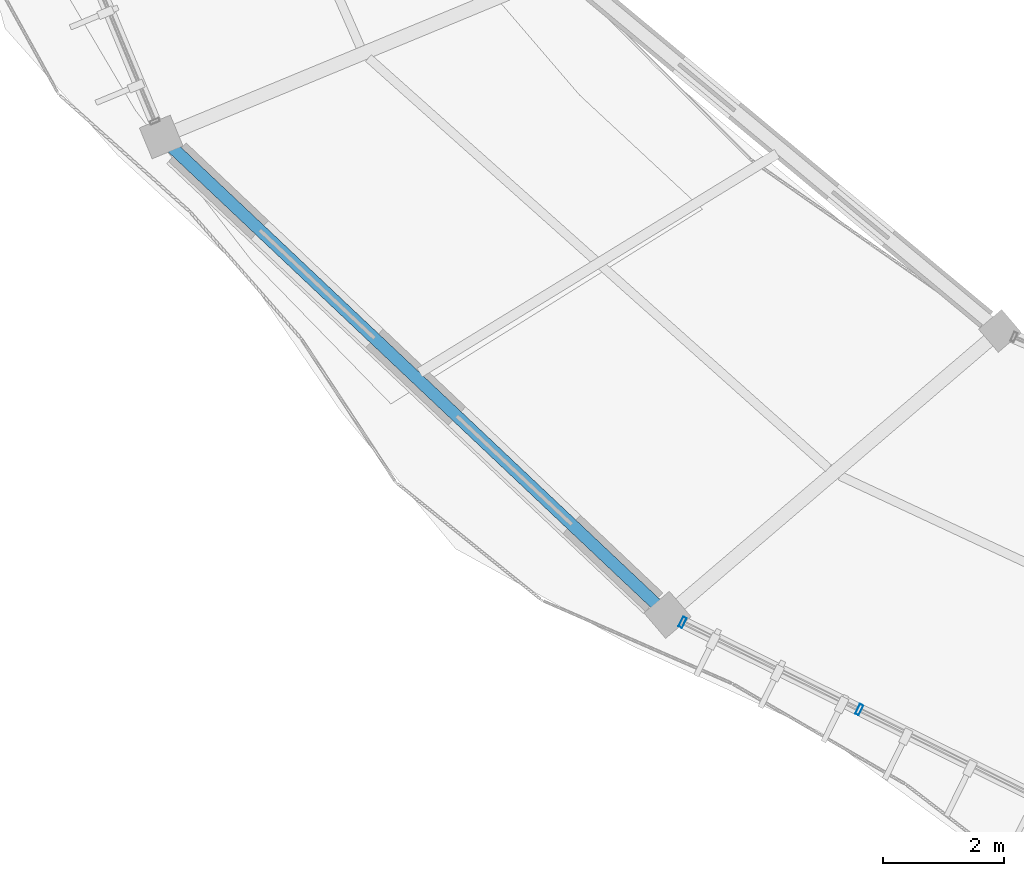
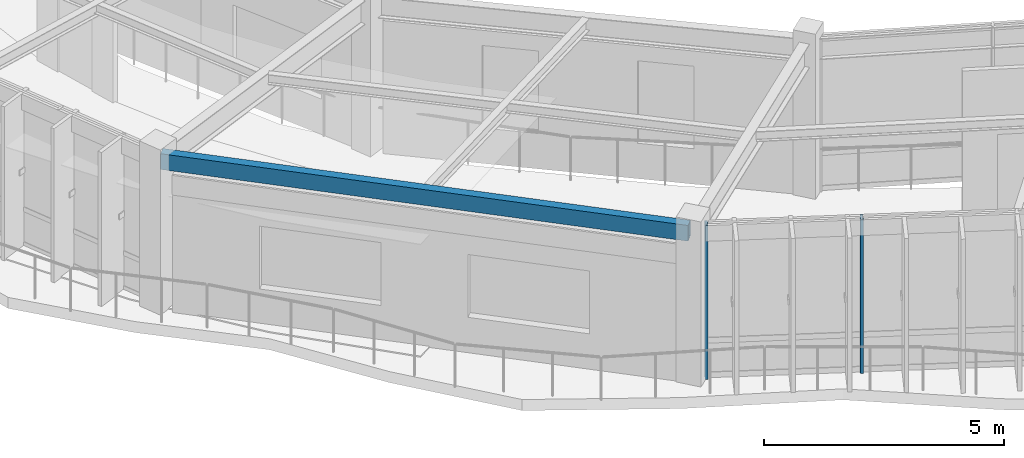
# One storey, part 2 of 79: 2 members, 1 beam, 1 element without a shape of its own.
"""IFC4 building model written with IfcOpenShell, lengths in metres."""

from ifc_helpers import new_model, si_unit, direction, frame, origin, origin_2d, place, context, subcontext, project, spatial, hollow_rectangle, extrude, material, material_profile, profile_set, type_object, element, aggregate, save


model = new_model("IFC4")

# Units and contexts
model_context = context("Model", 3, precision=1e-05, world=origin(), true_north=direction((0.0, 1.0)))
body_context = subcontext(model_context, "Body", "Model", "MODEL_VIEW")
ifc_project = project(units=[si_unit("LENGTHUNIT", "METRE"), si_unit("AREAUNIT", "SQUARE_METRE"), si_unit("VOLUMEUNIT", "CUBIC_METRE"), si_unit("PLANEANGLEUNIT", "RADIAN"), si_unit("MASSUNIT", "GRAM", prefix="KILO"), si_unit("THERMODYNAMICTEMPERATUREUNIT", "KELVIN"), si_unit("POWERUNIT", "WATT")], contexts=[model_context])

# Site, building, storey
site_placement = place(None, origin())
site = spatial("IfcSite", under=ifc_project, at=site_placement, CompositionType="ELEMENT")
building_placement = place(site_placement, origin())
building = spatial("IfcBuilding", under=site, at=building_placement, Name="Darbajah Civic Hall", CompositionType="ELEMENT")
storey_placement = place(building_placement, frame((0.0, 0.0, 22.199951171875)))
storey = spatial("IfcBuildingStorey", under=building, at=storey_placement, Name="L05", CompositionType="ELEMENT", Elevation=22.199951171875)

# Curtain wall, members
ifc_material_1 = material(Name="Anodised Bronze Aluminium and Low-E Glazing", Category="aluminium")
curtain_wall_type = type_object("IfcCurtainWallType", Name="Unitised Curtain Wall CW-83 13000x3900", PredefinedType="USERDEFINED", material=ifc_material_1)
curtain_wall_placement = place(storey_placement, origin())
curtain_wall = element("IfcCurtainWall", 1, at=curtain_wall_placement, inside=storey, type_object=curtain_wall_type, Name="L05 unitised curtain wall CW-V1O-L05-12", ObjectType="UNITISED CURTAIN WALL", PredefinedType="USERDEFINED")
ifc_material_2 = material(Name="Anodised Bronze Aluminium", Category="aluminium")
ifc_material_profile_1 = material_profile(ifc_material_2, hollow_rectangle(XDim=0.06494140625, YDim=0.179931640625, WallThickness=0.00390625, at=origin_2d()), Name="ALU MULLION 65x180")
ifc_profile_set_1 = profile_set([ifc_material_profile_1], Name="Anodised Bronze Aluminium")
member_type = type_object("IfcMemberType", Name="ALU MULLION 65x180", PredefinedType="MULLION", material=ifc_profile_set_1)
member_1_placement = place(storey_placement, frame((50.567626953125, 70.5185546875, 0.0), z_axis=(0.0, 0.0, 1.0), x_axis=(0.89656374724, -0.442914717678, 0.0)))
member_1 = element("IfcMember", 2, at=member_1_placement, type_object=member_type, Name="CW-V1O-L05-12 mullion 1", PredefinedType="MULLION", context=body_context, shape_type="SweptSolid", body=[
    extrude(hollow_rectangle(XDim=0.06494140625, YDim=0.179931640625, WallThickness=0.00390625, at=origin_2d()), origin(), (0.0, 0.0, 1.0), 3.920166015625),
])
member_2_placement = place(storey_placement, frame((53.476806640625, 69.081298828125, 0.0), z_axis=(0.0, 0.0, 1.0), x_axis=(0.89656374724, -0.442914717678, 0.0)))
member_2 = element("IfcMember", 3, at=member_2_placement, type_object=member_type, Name="CW-V1O-L05-12 mullion 2", PredefinedType="MULLION", context=body_context, shape_type="SweptSolid", body=[
    extrude(hollow_rectangle(XDim=0.06494140625, YDim=0.179931640625, WallThickness=0.00390625, at=origin_2d()), origin(), (0.0, 0.0, 1.0), 3.920166015625),
])
aggregate(curtain_wall, [member_1, member_2])

# Beam
ifc_material_3 = material(Name="Steel S355JR", Category="steel")
ifc_material_profile_2 = material_profile(ifc_material_3, hollow_rectangle(XDim=0.199951171875, YDim=0.39990234375, WallThickness=0.013916015625, at=origin_2d()), Name="RHS 400x200x14")
ifc_profile_set_2 = profile_set([ifc_material_profile_2], Name="Steel S355JR")
beam_type = type_object("IfcBeamType", Name="RHS 400x200x14", PredefinedType="SPANDREL", material=ifc_profile_set_2)
beam_placement = place(storey_placement, frame((42.040283203125, 78.455810546875, 3.719970703125), z_axis=(0.727210771045, -0.686414229512, 0.0), x_axis=(0.686414229512, 0.727210771045, 0.0)))
element("IfcBeam", 4, at=beam_placement, inside=storey, type_object=beam_type, Name="L05 beam SP-RHS400", PredefinedType="SPANDREL", context=body_context, shape_type="SweptSolid", body=[
    extrude(hollow_rectangle(XDim=0.199951171875, YDim=0.39990234375, WallThickness=0.013916015625, at=origin_2d()), origin(), (0.0, 0.0, 1.0), 11.304443359375),
])

save(model, "model.ifc")
